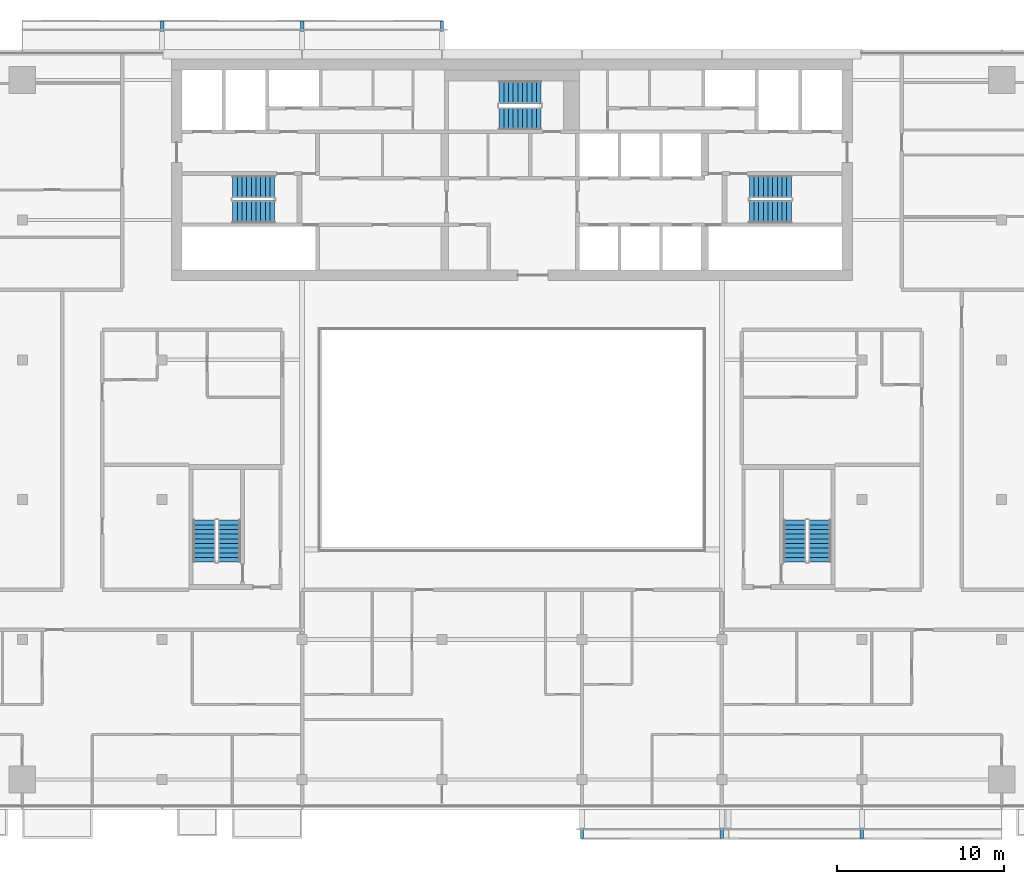
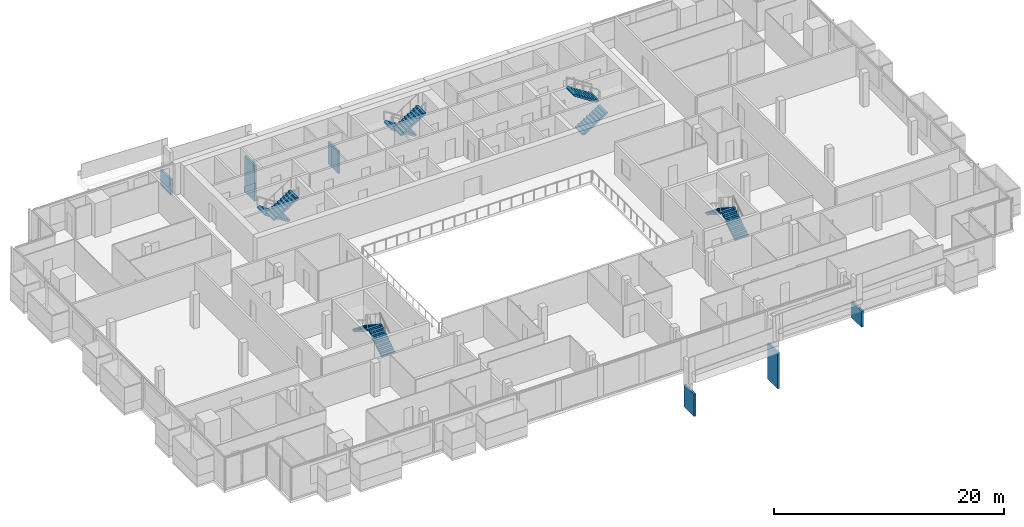
# One storey, part 24 of 27: 10 stair flights, 6 discrete accessories, 5 elements without a shape of their own.
"""IFC4 building model written with IfcOpenShell, lengths in metres."""

import ifcopenshell
import ifcopenshell.guid

model = None  # the IFC model being written
_history = None  # IfcOwnerHistory: only IFC2X3 demands one
_inside = {}  # id of a spatial element -> (the spatial element, [elements in it])
_under = {}  # id of a project, library or spatial element -> (it, [spatial elements below it])
_declared = {}  # id of a project -> (the project, [libraries it declares])
_typed = {}  # id of a type object -> (the type object, [elements of that type])
_made_of = {}  # id of a material, layer set ... -> (it, [elements and type objects made of it])


def new_model(schema):
    """Start an empty IFC model of exactly this schema.

    Asked for "IFC4X3", IfcOpenShell would pick the latest addendum, in which some entities
    have other attributes; the version numbers below select the first issue.
    IFC2X3 requires an IfcOwnerHistory on every rooted entity: one is made here for all.
    """
    global model, _history
    if schema == "IFC4X3":
        model = ifcopenshell.file(schema_version=(4, 3, 0, 0))
    else:
        model = ifcopenshell.file(schema=schema)
    _inside.clear()
    _under.clear()
    _declared.clear()
    _typed.clear()
    _made_of.clear()
    _history = None
    if model.schema == "IFC2X3":
        org = make("IfcOrganization", Name="unknown")
        user = make(
            "IfcPersonAndOrganization",
            ThePerson=make("IfcPerson", FamilyName="unknown"),
            TheOrganization=org,
        )
        app = make(
            "IfcApplication",
            ApplicationDeveloper=org,
            Version="unknown",
            ApplicationFullName="unknown",
            ApplicationIdentifier="unknown",
        )
        _history = make(
            "IfcOwnerHistory",
            OwningUser=user,
            OwningApplication=app,
            ChangeAction="ADDED",
            CreationDate=0,
        )
    return model


def make(cls, **values):
    """One entity of the class cls with the attributes given. An attribute that is None is left unset."""
    return model.create_entity(
        cls, **{name: value for name, value in values.items() if value is not None}
    )


def rooted(cls, **values):
    """An entity with a GlobalId (a new one), such as an element, a storey or a relation."""
    return make(cls, GlobalId=ifcopenshell.guid.new(), OwnerHistory=_history, **values)


def si_unit(unit_type, name, prefix=None):
    """IfcSIUnit, for example si_unit("LENGTHUNIT", "METRE", prefix="MILLI")."""
    return make("IfcSIUnit", UnitType=unit_type, Prefix=prefix, Name=name)


def assignment(units):
    """IfcUnitAssignment: the units of a project."""
    return None if units is None else make("IfcUnitAssignment", Units=units)


def point(xyz):
    """IfcCartesianPoint."""
    return None if xyz is None else make("IfcCartesianPoint", Coordinates=xyz)


def direction(xyz):
    """IfcDirection."""
    return None if xyz is None else make("IfcDirection", DirectionRatios=xyz)


def frame(location, z_axis=None, x_axis=None):
    """IfcAxis2Placement3D, a coordinate frame: its origin and axes. An axis left out is left unset."""
    return make(
        "IfcAxis2Placement3D",
        Location=point(location),
        Axis=direction(z_axis),
        RefDirection=direction(x_axis),
    )


def frame_2d(location, x_axis=None):
    """IfcAxis2Placement2D, a coordinate frame in the plane: its origin and x axis."""
    return make(
        "IfcAxis2Placement2D", Location=point(location), RefDirection=direction(x_axis)
    )


def origin():
    """The frame at (0, 0, 0) with its axes left unset."""
    return frame((0.0, 0.0, 0.0))


def origin_2d():
    """The frame at (0, 0) in the plane with its x axis left unset."""
    return frame_2d((0.0, 0.0))


def place(relative_to, where):
    """IfcLocalPlacement: puts the frame where relative to a parent placement (None: the world)."""
    return make(
        "IfcLocalPlacement", PlacementRelTo=relative_to, RelativePlacement=where
    )


def context(
    kind, dimensions, precision=None, world=None, true_north=None, identifier=None
):
    """IfcGeometricRepresentationContext, for example the 3D "Model" context."""
    return make(
        "IfcGeometricRepresentationContext",
        ContextIdentifier=identifier,
        ContextType=kind,
        CoordinateSpaceDimension=dimensions,
        Precision=precision,
        WorldCoordinateSystem=world,
        TrueNorth=true_north,
    )


def subcontext(parent, identifier, kind, view, scale=None):
    """IfcGeometricRepresentationSubContext, for example "Body" below "Model"."""
    return make(
        "IfcGeometricRepresentationSubContext",
        ContextIdentifier=identifier,
        ContextType=kind,
        ParentContext=parent,
        TargetScale=scale,
        TargetView=view,
    )


def project(units=None, contexts=None):
    """IfcProject with its units and contexts."""
    return rooted(
        "IfcProject",
        Name="project",
        RepresentationContexts=contexts,
        UnitsInContext=assignment(units),
    )


def spatial(cls, under=None, at=None, **own):
    """A site, building, storey or space (cls), placed at a placement, below another one or the project."""
    s = rooted(cls, ObjectPlacement=at, **own)
    if under is not None:
        _under.setdefault(under.id(), (under, []))[1].append(s)
    return s


def polyline(points):
    """IfcPolyline through the points."""
    return make("IfcPolyline", Points=[point(p) for p in points])


def profile(cls, at=None, kind="AREA", **sizes):
    """A parametric profile (cls). Its sizes go by their IFC names, for example OverallWidth=200.0."""
    return make(cls, ProfileType=kind, Position=at, **sizes)


def rectangle(**sizes):
    """IfcRectangleProfileDef."""
    return profile("IfcRectangleProfileDef", **sizes)


def outline(outer, holes=None, kind="AREA"):
    """IfcArbitraryClosedProfileDef: a profile drawn as a closed curve; with holes, ...WithVoids."""
    if holes is None:
        return make("IfcArbitraryClosedProfileDef", ProfileType=kind, OuterCurve=outer)
    return make(
        "IfcArbitraryProfileDefWithVoids",
        ProfileType=kind,
        OuterCurve=outer,
        InnerCurves=holes,
    )


def extrude(swept, where, along, depth):
    """IfcExtrudedAreaSolid: the profile swept, set in the frame where, extruded along a direction by depth."""
    return make(
        "IfcExtrudedAreaSolid",
        SweptArea=swept,
        Position=where,
        ExtrudedDirection=direction(along),
        Depth=depth,
    )


def shape(context_of_items, identifier, shape_type, items):
    """IfcShapeRepresentation: the items that make up one representation, for example the "Body"."""
    return make(
        "IfcShapeRepresentation",
        ContextOfItems=context_of_items,
        RepresentationIdentifier=identifier,
        RepresentationType=shape_type,
        Items=items,
    )


def material(Name=None, Category=None):
    """IfcMaterial."""
    return make("IfcMaterial", Name=Name, Category=Category)


def made_of(thing, what):
    """Note that an element or type object is made of a material, layer set ...; save() writes the relation."""
    if what is not None:
        _made_of.setdefault(what.id(), (what, []))[1].append(thing)
    return thing


def type_object(cls, material=None, **own):
    """A type object (cls), such as IfcWallType, which elements share."""
    return made_of(rooted(cls, **own), material)


def element(
    cls,
    number,
    at=None,
    inside=None,
    cuts=None,
    type_object=None,
    material=None,
    context=None,
    identifier="Body",
    shape_type=None,
    held_by="IfcProductDefinitionShape",
    body=None,
    shapes=None,
    **own,
):
    """One element of the class cls, such as IfcWall. Its Tag is "e" and its number.

    at: its placement. inside: the storey or other place that contains it. cuts: it is an
    opening in that element (IfcRelVoidsElement). A single representation is given by context,
    identifier, shape_type and body (its items); several are given by shapes. held_by: the class
    of the entity that holds the representations. save() writes the other relations.
    """
    e = rooted(cls, Tag="e%d" % number, ObjectPlacement=at, **own)
    if body is not None:
        shapes = [shape(context, identifier, shape_type, body)]
    if shapes is not None:
        e.Representation = make(held_by, Representations=shapes)
    if inside is not None:
        _inside.setdefault(inside.id(), (inside, []))[1].append(e)
    if cuts is not None:
        rooted(
            "IfcRelVoidsElement", RelatingBuildingElement=cuts, RelatedOpeningElement=e
        )
    if type_object is not None:
        _typed.setdefault(type_object.id(), (type_object, []))[1].append(e)
    return made_of(e, material)


def aggregate(whole, parts):
    """IfcRelAggregates: a whole, such as a stair, and the parts it consists of."""
    return rooted("IfcRelAggregates", RelatingObject=whole, RelatedObjects=parts)


def save(model, path):
    """Write the relations noted so far, then the file.

    IfcRelAggregates (storeys below a building ...), IfcRelContainedInSpatialStructure (elements
    in a storey), IfcRelDefinesByType, IfcRelAssociatesMaterial and IfcRelDeclares: one each for
    every whole, place, type object, material and project.
    """
    for whole, parts in _under.values():
        aggregate(whole, parts)
    for where, things in _inside.values():
        rooted(
            "IfcRelContainedInSpatialStructure",
            RelatedElements=things,
            RelatingStructure=where,
        )
    for kind, things in _typed.values():
        rooted("IfcRelDefinesByType", RelatedObjects=things, RelatingType=kind)
    for what, things in _made_of.values():
        rooted("IfcRelAssociatesMaterial", RelatedObjects=things, RelatingMaterial=what)
    for by, libraries in _declared.values():
        rooted("IfcRelDeclares", RelatingContext=by, RelatedDefinitions=libraries)
    model.write(path)


model = new_model("IFC4")

# Units and contexts
model_context = context("Model", 3, precision=1e-05, world=origin(), true_north=direction((0.0, 1.0)))
body_context = subcontext(model_context, "Body", "Model", "MODEL_VIEW")
ifc_project = project(units=[si_unit("LENGTHUNIT", "METRE"), si_unit("AREAUNIT", "SQUARE_METRE"), si_unit("VOLUMEUNIT", "CUBIC_METRE"), si_unit("PLANEANGLEUNIT", "RADIAN"), si_unit("MASSUNIT", "GRAM", prefix="KILO")], contexts=[model_context])

# Site, building, storey
site_placement = place(None, origin())
site = spatial("IfcSite", under=ifc_project, at=site_placement, CompositionType="ELEMENT")
building_placement = place(site_placement, origin())
building = spatial("IfcBuilding", under=site, at=building_placement, Name="Saffron Gate Tower", CompositionType="ELEMENT")
storey_placement = place(building_placement, frame((0.0, 0.0, 212.699951171875)))
storey = spatial("IfcBuildingStorey", under=building, at=storey_placement, Name="L51", CompositionType="ELEMENT", Elevation=212.699951171875)

# Stair, stair flights
ifc_material = material(Name="Concrete C40", Category="concrete")
stair_type = type_object("IfcStairType", Name="ST7 Stair 1350 wide, 20 risers of 180", PredefinedType="HALF_TURN_STAIR", material=ifc_material)
stair_1_placement = place(storey_placement, origin())
stair_1 = element("IfcStair", 1, at=stair_1_placement, inside=storey, type_object=stair_type, Name="L51 Exit stair A", PredefinedType="HALF_TURN_STAIR")
stair_flight_type = type_object("IfcStairFlightType", Name="SF3 Stair flight 1350 wide, riser 180 going 280", PredefinedType="STRAIGHT", material=ifc_material)
stair_flight_1_placement = place(storey_placement, frame((73.35009765625, 67.375, 0.0), z_axis=(0.0, 0.0, 1.0), x_axis=(-1.0, 0.0, 0.0)))
stair_flight_1 = element("IfcStairFlight", 2, at=stair_flight_1_placement, type_object=stair_flight_type, Name="ST-A flight 1", NumberOfRisers=10, NumberOfTreads=9, PredefinedType="STRAIGHT", RiserHeight=0.18, TreadLength=0.28, context=body_context, shape_type="SweptSolid", body=[
    extrude(outline(polyline([(0.0, 0.0), (0.0, 0.179931640625), (0.280029296875, 0.179931640625), (0.280029296875, 0.360107421875), (0.56005859375, 0.360107421875), (0.56005859375, 0.5400390625), (0.840087890625, 0.5400390625), (0.840087890625, 0.719970703125), (1.1201171875, 0.719970703125), (1.1201171875, 0.89990234375), (1.39990234375, 0.89990234375), (1.39990234375, 1.080078125), (1.679931640625, 1.080078125), (1.679931640625, 1.260009765625), (1.9599609375, 1.260009765625), (1.9599609375, 1.43994140625), (2.239990234375, 1.43994140625), (2.239990234375, 1.6201171875), (2.52001953125, 1.6201171875), (2.52001953125, 1.800048828125), (2.52001953125, 1.44189453125), (0.277099609375, 0.0), (0.0, 0.0)])), frame((0.0, 0.675048828125, 0.0), z_axis=(0.0, -1.0, 0.0), x_axis=(1.0, 0.0, 0.0)), (0.0, 0.0, 1.0), 1.35009765625),
])
stair_flight_2_placement = place(storey_placement, frame((70.830078125, 65.875, 1.800048828125), z_axis=(0.0, 0.0, 1.0), x_axis=(1.0, 0.0, 0.0)))
stair_flight_2 = element("IfcStairFlight", 3, at=stair_flight_2_placement, type_object=stair_flight_type, Name="ST-A flight 2", NumberOfRisers=10, NumberOfTreads=9, PredefinedType="STRAIGHT", RiserHeight=0.18, TreadLength=0.28, context=body_context, shape_type="SweptSolid", body=[
    extrude(outline(polyline([(0.0, 0.0), (0.0, 0.179931640625), (0.280029296875, 0.179931640625), (0.280029296875, 0.360107421875), (0.56005859375, 0.360107421875), (0.56005859375, 0.5400390625), (0.840087890625, 0.5400390625), (0.840087890625, 0.719970703125), (1.1201171875, 0.719970703125), (1.1201171875, 0.89990234375), (1.39990234375, 0.89990234375), (1.39990234375, 1.080078125), (1.679931640625, 1.080078125), (1.679931640625, 1.260009765625), (1.9599609375, 1.260009765625), (1.9599609375, 1.43994140625), (2.239990234375, 1.43994140625), (2.239990234375, 1.6201171875), (2.52001953125, 1.6201171875), (2.52001953125, 1.800048828125), (2.52001953125, 1.44189453125), (0.277099609375, 0.0), (0.0, 0.0)])), frame((0.0, 0.675048828125, 0.0), z_axis=(0.0, -1.0, 0.0), x_axis=(1.0, 0.0, 0.0)), (0.0, 0.0, 1.0), 1.35009765625),
])
aggregate(stair_1, [stair_flight_1, stair_flight_2])

stair_2_placement = place(storey_placement, origin())
stair_2 = element("IfcStair", 4, at=stair_2_placement, inside=storey, type_object=stair_type, Name="L51 Exit stair B", PredefinedType="HALF_TURN_STAIR")
stair_flight_3_placement = place(storey_placement, frame((101.85009765625, 65.875, 0.0), z_axis=(0.0, 0.0, 1.0), x_axis=(1.0, 0.0, 0.0)))
stair_flight_3 = element("IfcStairFlight", 5, at=stair_flight_3_placement, type_object=stair_flight_type, Name="ST-B flight 1", NumberOfRisers=10, NumberOfTreads=9, PredefinedType="STRAIGHT", RiserHeight=0.18, TreadLength=0.28, context=body_context, shape_type="SweptSolid", body=[
    extrude(outline(polyline([(0.0, 0.0), (0.0, 0.179931640625), (0.280029296875, 0.179931640625), (0.280029296875, 0.360107421875), (0.56005859375, 0.360107421875), (0.56005859375, 0.5400390625), (0.840087890625, 0.5400390625), (0.840087890625, 0.719970703125), (1.1201171875, 0.719970703125), (1.1201171875, 0.89990234375), (1.39990234375, 0.89990234375), (1.39990234375, 1.080078125), (1.679931640625, 1.080078125), (1.679931640625, 1.260009765625), (1.9599609375, 1.260009765625), (1.9599609375, 1.43994140625), (2.239990234375, 1.43994140625), (2.239990234375, 1.6201171875), (2.52001953125, 1.6201171875), (2.52001953125, 1.800048828125), (2.52001953125, 1.44189453125), (0.277099609375, 0.0), (0.0, 0.0)])), frame((0.0, 0.675048828125, 0.0), z_axis=(0.0, -1.0, 0.0), x_axis=(1.0, 0.0, 0.0)), (0.0, 0.0, 1.0), 1.35009765625),
])
stair_flight_4_placement = place(storey_placement, frame((104.3701171875, 67.375, 1.800048828125), z_axis=(0.0, 0.0, 1.0), x_axis=(-1.0, 0.0, 0.0)))
stair_flight_4 = element("IfcStairFlight", 6, at=stair_flight_4_placement, type_object=stair_flight_type, Name="ST-B flight 2", NumberOfRisers=10, NumberOfTreads=9, PredefinedType="STRAIGHT", RiserHeight=0.18, TreadLength=0.28, context=body_context, shape_type="SweptSolid", body=[
    extrude(outline(polyline([(0.0, 0.0), (0.0, 0.179931640625), (0.280029296875, 0.179931640625), (0.280029296875, 0.360107421875), (0.56005859375, 0.360107421875), (0.56005859375, 0.5400390625), (0.840087890625, 0.5400390625), (0.840087890625, 0.719970703125), (1.1201171875, 0.719970703125), (1.1201171875, 0.89990234375), (1.39990234375, 0.89990234375), (1.39990234375, 1.080078125), (1.679931640625, 1.080078125), (1.679931640625, 1.260009765625), (1.9599609375, 1.260009765625), (1.9599609375, 1.43994140625), (2.239990234375, 1.43994140625), (2.239990234375, 1.6201171875), (2.52001953125, 1.6201171875), (2.52001953125, 1.800048828125), (2.52001953125, 1.44189453125), (0.277099609375, 0.0), (0.0, 0.0)])), frame((0.0, 0.675048828125, 0.0), z_axis=(0.0, -1.0, 0.0), x_axis=(1.0, 0.0, 0.0)), (0.0, 0.0, 1.0), 1.35009765625),
])
aggregate(stair_2, [stair_flight_3, stair_flight_4])

stair_3_placement = place(storey_placement, origin())
stair_3 = element("IfcStair", 7, at=stair_3_placement, inside=storey, type_object=stair_type, Name="L51 Exit stair C", PredefinedType="HALF_TURN_STAIR")
stair_flight_5_placement = place(storey_placement, frame((89.35009765625, 73.074951171875, 0.0), z_axis=(0.0, 0.0, 1.0), x_axis=(-1.0, 0.0, 0.0)))
stair_flight_5 = element("IfcStairFlight", 8, at=stair_flight_5_placement, type_object=stair_flight_type, Name="ST-C flight 1", NumberOfRisers=10, NumberOfTreads=9, PredefinedType="STRAIGHT", RiserHeight=0.18, TreadLength=0.28, context=body_context, shape_type="SweptSolid", body=[
    extrude(outline(polyline([(0.0, 0.0), (0.0, 0.179931640625), (0.280029296875, 0.179931640625), (0.280029296875, 0.360107421875), (0.56005859375, 0.360107421875), (0.56005859375, 0.5400390625), (0.840087890625, 0.5400390625), (0.840087890625, 0.719970703125), (1.1201171875, 0.719970703125), (1.1201171875, 0.89990234375), (1.39990234375, 0.89990234375), (1.39990234375, 1.080078125), (1.679931640625, 1.080078125), (1.679931640625, 1.260009765625), (1.9599609375, 1.260009765625), (1.9599609375, 1.43994140625), (2.239990234375, 1.43994140625), (2.239990234375, 1.6201171875), (2.52001953125, 1.6201171875), (2.52001953125, 1.800048828125), (2.52001953125, 1.44189453125), (0.277099609375, 0.0), (0.0, 0.0)])), frame((0.0, 0.675048828125, 0.0), z_axis=(0.0, -1.0, 0.0), x_axis=(1.0, 0.0, 0.0)), (0.0, 0.0, 1.0), 1.35009765625),
])
stair_flight_6_placement = place(storey_placement, frame((86.830078125, 71.47509765625, 1.800048828125), z_axis=(0.0, 0.0, 1.0), x_axis=(1.0, 0.0, 0.0)))
stair_flight_6 = element("IfcStairFlight", 9, at=stair_flight_6_placement, type_object=stair_flight_type, Name="ST-C flight 2", NumberOfRisers=10, NumberOfTreads=9, PredefinedType="STRAIGHT", RiserHeight=0.18, TreadLength=0.28, context=body_context, shape_type="SweptSolid", body=[
    extrude(outline(polyline([(0.0, 0.0), (0.0, 0.179931640625), (0.280029296875, 0.179931640625), (0.280029296875, 0.360107421875), (0.56005859375, 0.360107421875), (0.56005859375, 0.5400390625), (0.840087890625, 0.5400390625), (0.840087890625, 0.719970703125), (1.1201171875, 0.719970703125), (1.1201171875, 0.89990234375), (1.39990234375, 0.89990234375), (1.39990234375, 1.080078125), (1.679931640625, 1.080078125), (1.679931640625, 1.260009765625), (1.9599609375, 1.260009765625), (1.9599609375, 1.43994140625), (2.239990234375, 1.43994140625), (2.239990234375, 1.6201171875), (2.52001953125, 1.6201171875), (2.52001953125, 1.800048828125), (2.52001953125, 1.44189453125), (0.277099609375, 0.0), (0.0, 0.0)])), frame((0.0, 0.675048828125, 0.0), z_axis=(0.0, -1.0, 0.0), x_axis=(1.0, 0.0, 0.0)), (0.0, 0.0, 1.0), 1.35009765625),
])
aggregate(stair_3, [stair_flight_5, stair_flight_6])

stair_4_placement = place(storey_placement, origin())
stair_4 = element("IfcStair", 10, at=stair_4_placement, inside=storey, type_object=stair_type, Name="L51 Exit stair D", PredefinedType="HALF_TURN_STAIR")
stair_flight_7_placement = place(storey_placement, frame((70.625, 44.85009765625, 0.0), z_axis=(0.0, 0.0, 1.0), x_axis=(0.0, 1.0, 0.0)))
stair_flight_7 = element("IfcStairFlight", 11, at=stair_flight_7_placement, type_object=stair_flight_type, Name="ST-D flight 1", NumberOfRisers=10, NumberOfTreads=9, PredefinedType="STRAIGHT", RiserHeight=0.18, TreadLength=0.28, context=body_context, shape_type="SweptSolid", body=[
    extrude(outline(polyline([(0.0, 0.0), (0.0, 0.179931640625), (0.280029296875, 0.179931640625), (0.280029296875, 0.360107421875), (0.56005859375, 0.360107421875), (0.56005859375, 0.5400390625), (0.840087890625, 0.5400390625), (0.840087890625, 0.719970703125), (1.1201171875, 0.719970703125), (1.1201171875, 0.89990234375), (1.39990234375, 0.89990234375), (1.39990234375, 1.080078125), (1.679931640625, 1.080078125), (1.679931640625, 1.260009765625), (1.9599609375, 1.260009765625), (1.9599609375, 1.43994140625), (2.239990234375, 1.43994140625), (2.239990234375, 1.6201171875), (2.52001953125, 1.6201171875), (2.52001953125, 1.800048828125), (2.52001953125, 1.44189453125), (0.277099609375, 0.0), (0.0, 0.0)])), frame((0.0, 0.675048828125, 0.0), z_axis=(0.0, -1.0, 0.0), x_axis=(1.0, 0.0, 0.0)), (0.0, 0.0, 1.0), 1.35009765625),
])
stair_flight_8_placement = place(storey_placement, frame((69.125, 47.3701171875, 1.800048828125), z_axis=(0.0, 0.0, 1.0), x_axis=(0.0, -1.0, 0.0)))
stair_flight_8 = element("IfcStairFlight", 12, at=stair_flight_8_placement, type_object=stair_flight_type, Name="ST-D flight 2", NumberOfRisers=10, NumberOfTreads=9, PredefinedType="STRAIGHT", RiserHeight=0.18, TreadLength=0.28, context=body_context, shape_type="SweptSolid", body=[
    extrude(outline(polyline([(0.0, 0.0), (0.0, 0.179931640625), (0.280029296875, 0.179931640625), (0.280029296875, 0.360107421875), (0.56005859375, 0.360107421875), (0.56005859375, 0.5400390625), (0.840087890625, 0.5400390625), (0.840087890625, 0.719970703125), (1.1201171875, 0.719970703125), (1.1201171875, 0.89990234375), (1.39990234375, 0.89990234375), (1.39990234375, 1.080078125), (1.679931640625, 1.080078125), (1.679931640625, 1.260009765625), (1.9599609375, 1.260009765625), (1.9599609375, 1.43994140625), (2.239990234375, 1.43994140625), (2.239990234375, 1.6201171875), (2.52001953125, 1.6201171875), (2.52001953125, 1.800048828125), (2.52001953125, 1.44189453125), (0.277099609375, 0.0), (0.0, 0.0)])), frame((0.0, 0.675048828125, 0.0), z_axis=(0.0, -1.0, 0.0), x_axis=(1.0, 0.0, 0.0)), (0.0, 0.0, 1.0), 1.35009765625),
])
aggregate(stair_4, [stair_flight_7, stair_flight_8])

stair_5_placement = place(storey_placement, origin())
stair_5 = element("IfcStair", 13, at=stair_5_placement, inside=storey, type_object=stair_type, Name="L51 Exit stair E", PredefinedType="HALF_TURN_STAIR")
stair_flight_9_placement = place(storey_placement, frame((106.074951171875, 44.85009765625, 0.0), z_axis=(0.0, 0.0, 1.0), x_axis=(0.0, 1.0, 0.0)))
stair_flight_9 = element("IfcStairFlight", 14, at=stair_flight_9_placement, type_object=stair_flight_type, Name="ST-E flight 1", NumberOfRisers=10, NumberOfTreads=9, PredefinedType="STRAIGHT", RiserHeight=0.18, TreadLength=0.28, context=body_context, shape_type="SweptSolid", body=[
    extrude(outline(polyline([(0.0, 0.0), (0.0, 0.179931640625), (0.280029296875, 0.179931640625), (0.280029296875, 0.360107421875), (0.56005859375, 0.360107421875), (0.56005859375, 0.5400390625), (0.840087890625, 0.5400390625), (0.840087890625, 0.719970703125), (1.1201171875, 0.719970703125), (1.1201171875, 0.89990234375), (1.39990234375, 0.89990234375), (1.39990234375, 1.080078125), (1.679931640625, 1.080078125), (1.679931640625, 1.260009765625), (1.9599609375, 1.260009765625), (1.9599609375, 1.43994140625), (2.239990234375, 1.43994140625), (2.239990234375, 1.6201171875), (2.52001953125, 1.6201171875), (2.52001953125, 1.800048828125), (2.52001953125, 1.44189453125), (0.277099609375, 0.0), (0.0, 0.0)])), frame((0.0, 0.675048828125, 0.0), z_axis=(0.0, -1.0, 0.0), x_axis=(1.0, 0.0, 0.0)), (0.0, 0.0, 1.0), 1.35009765625),
])
stair_flight_10_placement = place(storey_placement, frame((104.574951171875, 47.3701171875, 1.800048828125), z_axis=(0.0, 0.0, 1.0), x_axis=(0.0, -1.0, 0.0)))
stair_flight_10 = element("IfcStairFlight", 15, at=stair_flight_10_placement, type_object=stair_flight_type, Name="ST-E flight 2", NumberOfRisers=10, NumberOfTreads=9, PredefinedType="STRAIGHT", RiserHeight=0.18, TreadLength=0.28, context=body_context, shape_type="SweptSolid", body=[
    extrude(outline(polyline([(0.0, 0.0), (0.0, 0.179931640625), (0.280029296875, 0.179931640625), (0.280029296875, 0.360107421875), (0.56005859375, 0.360107421875), (0.56005859375, 0.5400390625), (0.840087890625, 0.5400390625), (0.840087890625, 0.719970703125), (1.1201171875, 0.719970703125), (1.1201171875, 0.89990234375), (1.39990234375, 0.89990234375), (1.39990234375, 1.080078125), (1.679931640625, 1.080078125), (1.679931640625, 1.260009765625), (1.9599609375, 1.260009765625), (1.9599609375, 1.43994140625), (2.239990234375, 1.43994140625), (2.239990234375, 1.6201171875), (2.52001953125, 1.6201171875), (2.52001953125, 1.800048828125), (2.52001953125, 1.44189453125), (0.277099609375, 0.0), (0.0, 0.0)])), frame((0.0, 0.675048828125, 0.0), z_axis=(0.0, -1.0, 0.0), x_axis=(1.0, 0.0, 0.0)), (0.0, 0.0, 1.0), 1.35009765625),
])
aggregate(stair_5, [stair_flight_9, stair_flight_10])

# Discrete accessories
discrete_accessory_1_placement = place(storey_placement, frame((91.800048828125, 29.125, -3.8798828125), z_axis=(0.0, 0.0, 1.0), x_axis=(1.0, 0.0, 0.0)))
element("IfcDiscreteAccessory", 16, at=discrete_accessory_1_placement, inside=storey, Name="LEDGE rib", PredefinedType="BRACKET", context=body_context, shape_type="SweptSolid", body=[
    extrude(rectangle(XDim=0.199951171875, YDim=1.75, at=origin_2d()), origin(), (0.0, 0.0, 1.0), 2.379150390625),
])
discrete_accessory_2_placement = place(storey_placement, frame((100.199951171875, 29.125, -3.8798828125), z_axis=(0.0, 0.0, 1.0), x_axis=(1.0, 0.0, 0.0)))
element("IfcDiscreteAccessory", 17, at=discrete_accessory_2_placement, inside=storey, Name="LEDGE rib", PredefinedType="BRACKET", context=body_context, shape_type="SweptSolid", body=[
    extrude(rectangle(XDim=0.199951171875, YDim=1.75, at=origin_2d()), origin(), (0.0, 0.0, 1.0), 3.821533203125),
])
discrete_accessory_3_placement = place(storey_placement, frame((108.60009765625, 29.125, -0.27978515625), z_axis=(0.0, 0.0, 1.0), x_axis=(1.0, 0.0, 0.0)))
element("IfcDiscreteAccessory", 18, at=discrete_accessory_3_placement, inside=storey, Name="LEDGE rib", PredefinedType="BRACKET", context=body_context, shape_type="SweptSolid", body=[
    extrude(rectangle(XDim=0.199951171875, YDim=1.75, at=origin_2d()), origin(), (0.0, 0.0, 1.0), 1.720947265625),
])
discrete_accessory_4_placement = place(storey_placement, frame((83.39990234375, 76.47509765625, -3.8798828125), z_axis=(0.0, 0.0, 1.0), x_axis=(-1.0, 0.0, 0.0)))
element("IfcDiscreteAccessory", 19, at=discrete_accessory_4_placement, inside=storey, Name="LEDGE rib", PredefinedType="BRACKET", context=body_context, shape_type="SweptSolid", body=[
    extrude(rectangle(XDim=0.199951171875, YDim=1.75, at=origin_2d()), origin(), (0.0, 0.0, 1.0), 2.379150390625),
])
discrete_accessory_5_placement = place(storey_placement, frame((75.0, 76.47509765625, -3.8798828125), z_axis=(0.0, 0.0, 1.0), x_axis=(-1.0, 0.0, 0.0)))
element("IfcDiscreteAccessory", 20, at=discrete_accessory_5_placement, inside=storey, Name="LEDGE rib", PredefinedType="BRACKET", context=body_context, shape_type="SweptSolid", body=[
    extrude(rectangle(XDim=0.199951171875, YDim=1.75, at=origin_2d()), origin(), (0.0, 0.0, 1.0), 3.821533203125),
])
discrete_accessory_6_placement = place(storey_placement, frame((66.60009765625, 76.47509765625, -0.27978515625), z_axis=(0.0, 0.0, 1.0), x_axis=(-1.0, 0.0, 0.0)))
element("IfcDiscreteAccessory", 21, at=discrete_accessory_6_placement, inside=storey, Name="LEDGE rib", PredefinedType="BRACKET", context=body_context, shape_type="SweptSolid", body=[
    extrude(rectangle(XDim=0.199951171875, YDim=1.75, at=origin_2d()), origin(), (0.0, 0.0, 1.0), 1.663818359375),
])

save(model, "model.ifc")
